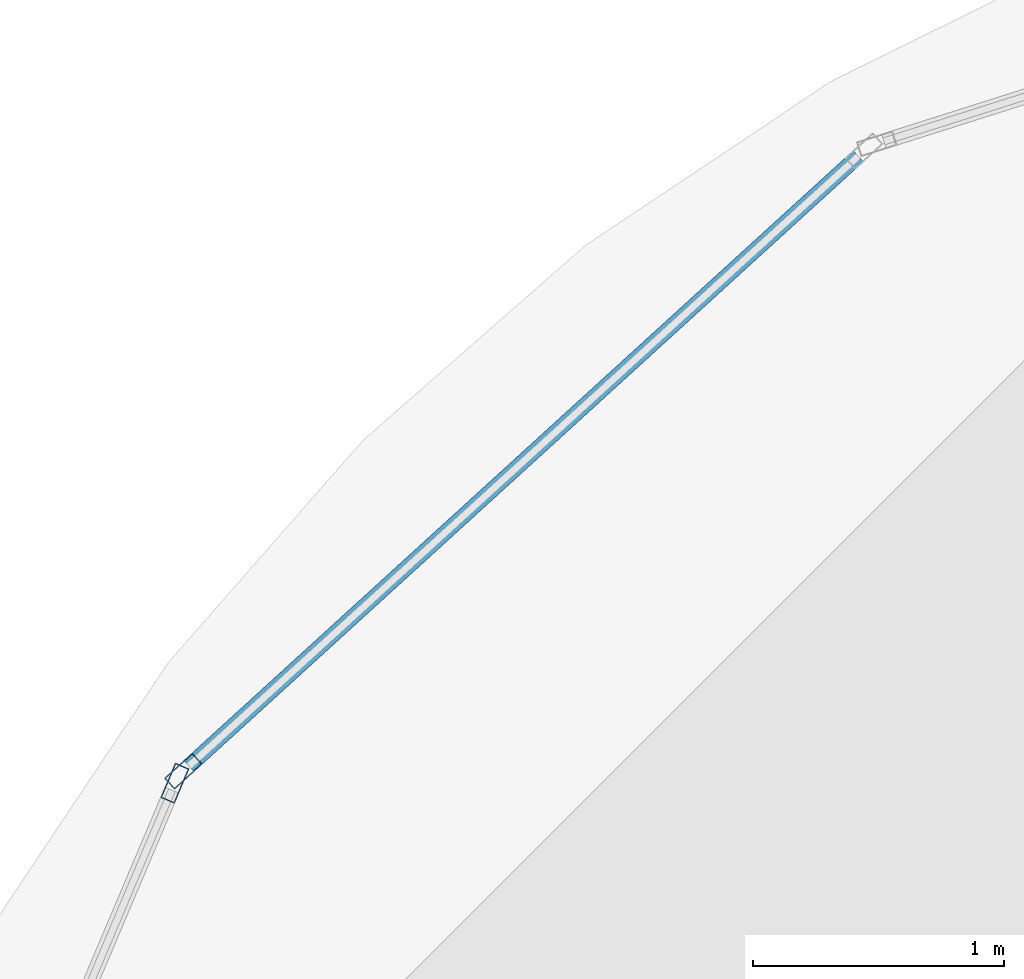
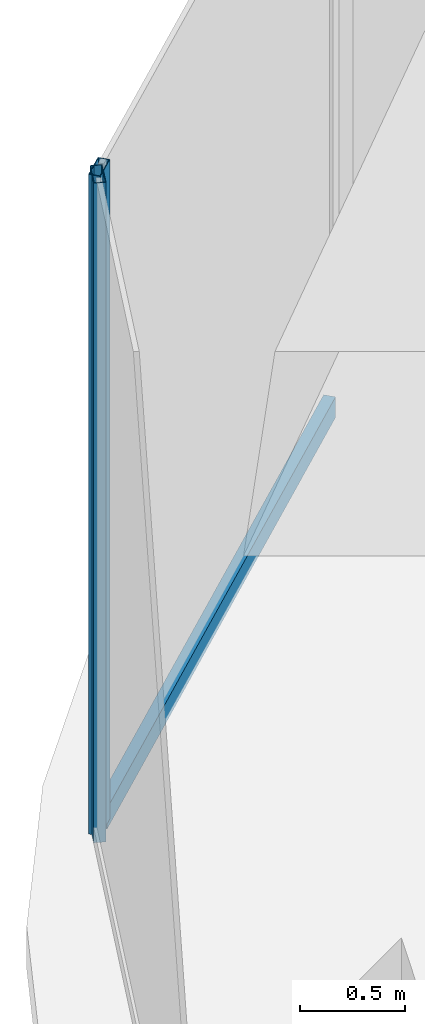
# One storey, part 25 of 39: 3 members, 2 elements without a shape of their own.
"""IFC4 building model written with IfcOpenShell, lengths in metres."""

from ifc_helpers import new_model, si_unit, direction, frame, origin, origin_2d, place, context, subcontext, project, spatial, hollow_rectangle, extrude, material, material_profile, profile_set, type_object, element, aggregate, save


model = new_model("IFC4")

# Units and contexts
model_context = context("Model", 3, precision=1e-05, world=origin(), true_north=direction((0.0, 1.0)))
body_context = subcontext(model_context, "Body", "Model", "MODEL_VIEW")
ifc_project = project(units=[si_unit("LENGTHUNIT", "METRE"), si_unit("AREAUNIT", "SQUARE_METRE"), si_unit("VOLUMEUNIT", "CUBIC_METRE"), si_unit("PLANEANGLEUNIT", "RADIAN"), si_unit("MASSUNIT", "GRAM", prefix="KILO")], contexts=[model_context])

# Site, building, storey
site_placement = place(None, origin())
site = spatial("IfcSite", under=ifc_project, at=site_placement, CompositionType="ELEMENT")
building_placement = place(site_placement, origin())
building = spatial("IfcBuilding", under=site, at=building_placement, Name="Zorevar Civic Tower", CompositionType="ELEMENT")
storey_placement = place(building_placement, frame((0.0, 0.0, 230.199951171875)))
storey = spatial("IfcBuildingStorey", under=building, at=storey_placement, Name="L56", CompositionType="ELEMENT", Elevation=230.199951171875)

# Curtain wall, member
ifc_material_1 = material(Name="Dark grey solar-control glass in black aluminium frame", Category="aluminium")
curtain_wall_type = type_object("IfcCurtainWallType", Name="Curtain wall CW4 high zone", PredefinedType="NOTDEFINED", material=ifc_material_1)
curtain_wall_1_placement = place(storey_placement, origin())
curtain_wall_1 = element("IfcCurtainWall", 1, at=curtain_wall_1_placement, inside=storey, type_object=curtain_wall_type, Name="CW4 L56", PredefinedType="NOTDEFINED")
ifc_material_2 = material(Name="Aluminium, black anodised", Category="aluminium")
ifc_material_profile_1 = material_profile(ifc_material_2, hollow_rectangle(XDim=0.06005859375, YDim=0.14990234375, WallThickness=0.00390625, at=origin_2d()), Name="AL 150x60x4")
ifc_profile_set_1 = profile_set([ifc_material_profile_1], Name="Aluminium, black anodised")
member_type_1 = type_object("IfcMemberType", Name="CW4 mullion AL 150x60x4", PredefinedType="MULLION", material=ifc_profile_set_1)
member_1_placement = place(storey_placement, frame((1.92236328125, 41.04833984375, 0.0), z_axis=(0.0, 0.0, 1.0), x_axis=(0.673532686252, -0.739157439623, 0.0)))
member_1 = element("IfcMember", 2, at=member_1_placement, type_object=member_type_1, Name="CW4 mullion 2", PredefinedType="MULLION", context=body_context, shape_type="SweptSolid", body=[
    extrude(hollow_rectangle(XDim=0.06005859375, YDim=0.14990234375, WallThickness=0.00390625, at=origin_2d()), origin(), (0.0, 0.0, 1.0), 3.85009765625),
])

curtain_wall_2_placement = place(storey_placement, origin())
curtain_wall_2 = element("IfcCurtainWall", 3, at=curtain_wall_2_placement, inside=storey, type_object=curtain_wall_type, Name="CW4 L56", PredefinedType="NOTDEFINED")
member_2_placement = place(storey_placement, frame((1.888427734375, 41.00048828125, 0.0), z_axis=(0.0, 0.0, 1.0), x_axis=(0.920829589054, -0.389965213734, 0.0)))
member_2 = element("IfcMember", 4, at=member_2_placement, type_object=member_type_1, Name="CW4 mullion 1", PredefinedType="MULLION", context=body_context, shape_type="SweptSolid", body=[
    extrude(hollow_rectangle(XDim=0.06005859375, YDim=0.14990234375, WallThickness=0.00390625, at=origin_2d()), origin(), (0.0, 0.0, 1.0), 3.85009765625),
])
aggregate(curtain_wall_2, [member_2])

# Member
ifc_material_3 = material(Name="Aluminium, black anodised", Category="aluminium")
ifc_material_profile_2 = material_profile(ifc_material_3, hollow_rectangle(XDim=0.06005859375, YDim=0.1201171875, WallThickness=0.0029296875, at=origin_2d()), Name="AL 120x60x3")
ifc_profile_set_2 = profile_set([ifc_material_profile_2], Name="Aluminium, black anodised")
member_type_2 = type_object("IfcMemberType", Name="CW4 transom AL 120x60x3", PredefinedType="USERDEFINED", material=ifc_profile_set_2)
member_3_placement = place(storey_placement, frame((4.607666015625, 43.4951171875, 0.030029296875), z_axis=(-0.739176095334, -0.673512212278, 0.0), x_axis=(0.673512212278, -0.739176095334, 0.0)))
member_3 = element("IfcMember", 5, at=member_3_placement, type_object=member_type_2, Name="CW4 sill transom", ObjectType="TRANSOM", PredefinedType="USERDEFINED", context=body_context, shape_type="SweptSolid", body=[
    extrude(hollow_rectangle(XDim=0.06005859375, YDim=0.1201171875, WallThickness=0.0029296875, at=origin_2d()), origin(), (0.0, 0.0, 1.0), 3.602783203125),
])

aggregate(curtain_wall_1, [member_1, member_3])

save(model, "model.ifc")
